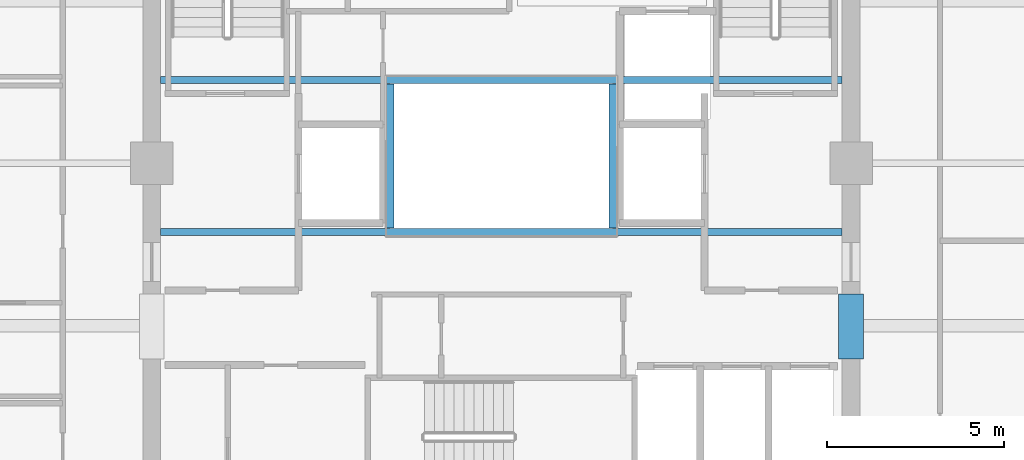
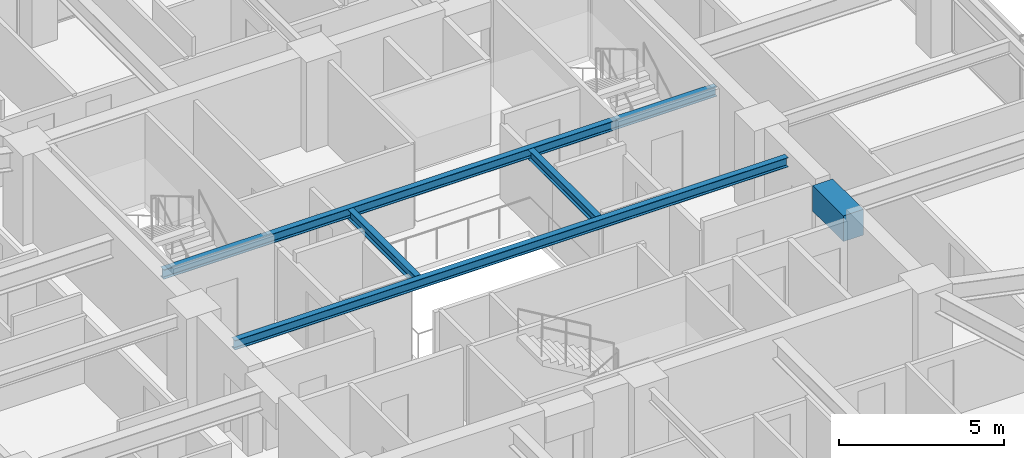
# One storey, part 10 of 32: 5 beams.
"""IFC4 building model written with IfcOpenShell, lengths in metres."""

from ifc_helpers import new_model, si_unit, direction, frame, origin, origin_2d, place, context, subcontext, project, spatial, rectangle, i_section, extrude, material, material_profile, profile_set, type_object, element, save


model = new_model("IFC4")

# Units and contexts
model_context = context("Model", 3, precision=1e-05, world=origin(), true_north=direction((0.0, 1.0)))
body_context = subcontext(model_context, "Body", "Model", "MODEL_VIEW")
ifc_project = project(units=[si_unit("LENGTHUNIT", "METRE"), si_unit("AREAUNIT", "SQUARE_METRE"), si_unit("VOLUMEUNIT", "CUBIC_METRE"), si_unit("PLANEANGLEUNIT", "RADIAN"), si_unit("MASSUNIT", "GRAM", prefix="KILO")], contexts=[model_context])

# Site, building, storey
site_placement = place(None, origin())
site = spatial("IfcSite", under=ifc_project, at=site_placement, CompositionType="ELEMENT")
building_placement = place(site_placement, origin())
building = spatial("IfcBuilding", under=site, at=building_placement, Name="Kolvaren Belvedere", CompositionType="ELEMENT")
storey_placement = place(building_placement, frame((0.0, 0.0, 160.199951171875)))
storey = spatial("IfcBuildingStorey", under=building, at=storey_placement, Name="L46", CompositionType="ELEMENT", Elevation=160.199951171875)

# Beams
ifc_material_1 = material(Name="Structural steel ASTM A992 Grade 50", Category="steel")
ifc_material_profile_1 = material_profile(ifc_material_1, i_section(OverallWidth=0.2041015625, OverallDepth=0.35009765625, WebThickness=0.008544921875, FlangeThickness=0.01513671875, FilletRadius=0.013916015625, at=origin_2d()), Name="W14X48")
ifc_profile_set_1 = profile_set([ifc_material_profile_1], Name="Structural steel ASTM A992 Grade 50")
beam_type_1 = type_object("IfcBeamType", Name="BM-ATRIUM-W14X48", PredefinedType="BEAM", material=ifc_profile_set_1)
for number, where, z_axis, x_axis, name in (
    (1, (-9.64990234375, -1.949951171875, 2.925048828125), (1.0, 0.0, 0.0), (0.0, 1.0, 0.0), "L46 Central Atrium South Girder AS"),
    (2, (-9.64990234375, 2.35009765625, 2.925048828125), (1.0, 0.0, 0.0), (0.0, 1.0, 0.0), "L46 Central Atrium North Girder AN"),
):
    element("IfcBeam", number, at=place(storey_placement, frame(where, z_axis=z_axis, x_axis=x_axis)), inside=storey, type_object=beam_type_1, Name=name, PredefinedType="BEAM", context=body_context, shape_type="SweptSolid", body=[
        extrude(i_section(OverallWidth=0.2041015625, OverallDepth=0.35009765625, WebThickness=0.008544921875, FlangeThickness=0.01513671875, FilletRadius=0.013916015625, at=origin_2d()), origin(), (0.0, 0.0, 1.0), 19.2998046875),
    ])
for number, where, z_axis, x_axis, name in (
    (3, (-3.14990234375, -1.840087890625, 2.925048828125), (0.0, 1.0, 0.0), (-1.0, 0.0, 0.0), "L46 Central Atrium West Edge Beam AW"),
    (4, (3.14990234375, -1.840087890625, 2.925048828125), (0.0, 1.0, 0.0), (-1.0, 0.0, 0.0), "L46 Central Atrium East Edge Beam AE"),
):
    element("IfcBeam", number, at=place(storey_placement, frame(where, z_axis=z_axis, x_axis=x_axis)), inside=storey, type_object=beam_type_1, Name=name, PredefinedType="BEAM", context=body_context, shape_type="SweptSolid", body=[
        extrude(i_section(OverallWidth=0.2041015625, OverallDepth=0.35009765625, WebThickness=0.008544921875, FlangeThickness=0.01513671875, FilletRadius=0.013916015625, at=origin_2d()), origin(), (0.0, 0.0, 1.0), 4.080078125),
    ])
ifc_material_2 = material(Name="Concrete C60/75", Category="concrete")
ifc_material_profile_2 = material_profile(ifc_material_2, rectangle(XDim=0.699951171875, YDim=0.949951171875, at=origin_2d()), Name="RC 700X950")
ifc_profile_set_2 = profile_set([ifc_material_profile_2], Name="Concrete C60/75")
beam_type_2 = type_object("IfcBeamType", Name="BM-LINT-950", PredefinedType="LINTEL", material=ifc_profile_set_2)
beam_placement = place(storey_placement, frame((9.89990234375, -5.550048828125, 2.625), z_axis=(0.0, 1.0, 0.0), x_axis=(-1.0, 0.0, 0.0)))
element("IfcBeam", 5, at=beam_placement, inside=storey, type_object=beam_type_2, Name="L46 East Core Coupling Lintel", PredefinedType="LINTEL", context=body_context, shape_type="SweptSolid", body=[
    extrude(rectangle(XDim=0.699951171875, YDim=0.949951171875, at=origin_2d()), origin(), (0.0, 0.0, 1.0), 1.85009765625),
])

save(model, "model.ifc")
